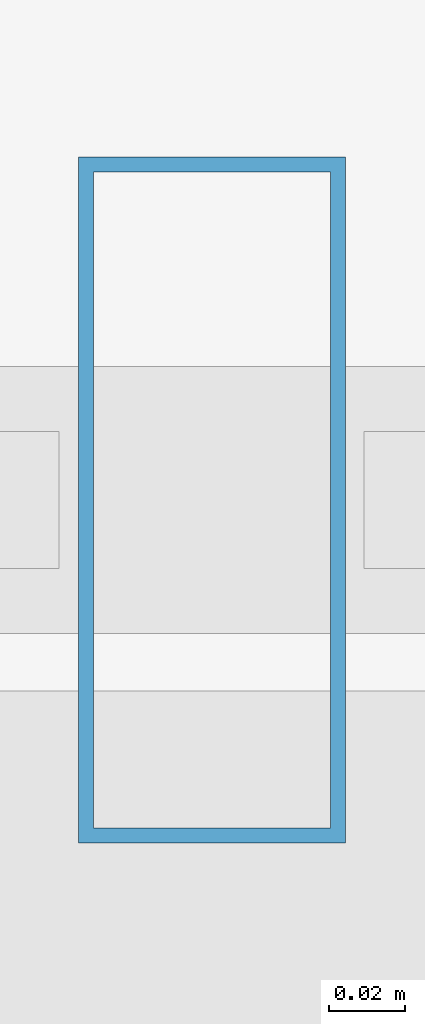
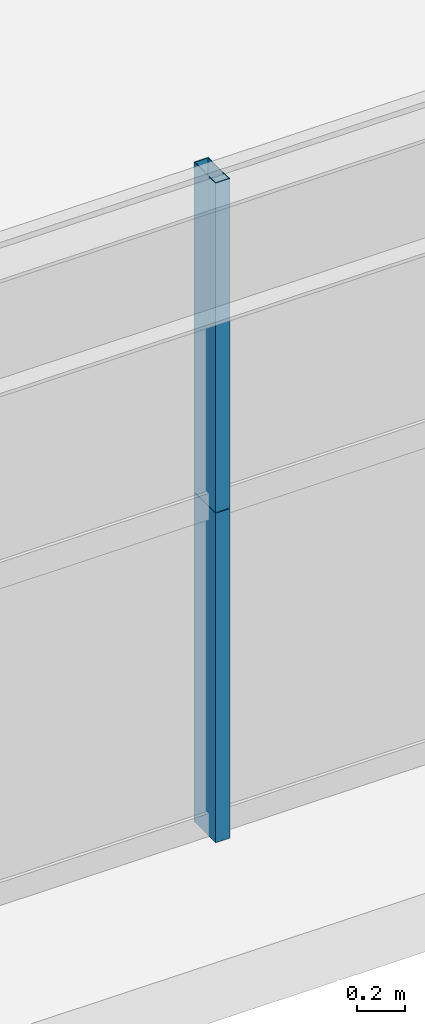
# One storey, part 13 of 45: 2 members, 1 element without a shape of its own.
"""IFC4 building model written with IfcOpenShell, lengths in metres."""

from ifc_helpers import new_model, si_unit, direction, frame, origin, origin_2d, place, context, subcontext, project, spatial, hollow_rectangle, extrude, source, transform, mapped, material, layer, layer_set, material_profile, profile_set, type_object, element, aggregate, save


model = new_model("IFC4")

# Units and contexts
model_context = context("Model", 3, precision=1e-05, world=origin(), true_north=direction((0.0, 1.0)))
body_context = subcontext(model_context, "Body", "Model", "MODEL_VIEW")
ifc_project = project(units=[si_unit("LENGTHUNIT", "METRE"), si_unit("AREAUNIT", "SQUARE_METRE"), si_unit("VOLUMEUNIT", "CUBIC_METRE"), si_unit("PLANEANGLEUNIT", "RADIAN"), si_unit("MASSUNIT", "GRAM", prefix="KILO"), si_unit("THERMODYNAMICTEMPERATUREUNIT", "KELVIN"), si_unit("POWERUNIT", "WATT")], contexts=[model_context])

# Site, building, storey
site_placement = place(None, origin())
site = spatial("IfcSite", under=ifc_project, at=site_placement, CompositionType="ELEMENT")
building_placement = place(site_placement, origin())
building = spatial("IfcBuilding", under=site, at=building_placement, Name="Yuzanri Waterfront Tower", CompositionType="ELEMENT")
storey_placement = place(building_placement, frame((0.0, 0.0, 30.60009765625)))
storey = spatial("IfcBuildingStorey", under=building, at=storey_placement, Name="L07", CompositionType="ELEMENT", Elevation=30.60009765625)

# Curtain wall, members
ifc_material_1 = material(Name="Anodized Architectural Bronze", Category="metal")
ifc_layer = layer(ifc_material_1, 0.159912109375)
ifc_layer_set = layer_set([ifc_layer], Name="Anodized Architectural Bronze")
curtain_wall_type = type_object("IfcCurtainWallType", Name="Anodized Bronze Hotel Lower-Tier Recessed Unitized Curtain Wall 8100", PredefinedType="NOTDEFINED", material=ifc_layer_set)
curtain_wall_placement = place(storey_placement, origin())
curtain_wall = element("IfcCurtainWall", 1, at=curtain_wall_placement, inside=storey, type_object=curtain_wall_type, Name="L07 Curtain Wall CW-L07-SR", PredefinedType="NOTDEFINED")
ifc_material_2 = material(Name="Anodized Architectural Bronze", Category="metal")
ifc_material_profile = material_profile(ifc_material_2, hollow_rectangle(XDim=0.070068359375, YDim=0.179931640625, WallThickness=0.00390625, at=origin_2d()), Name="CWM 70x180")
ifc_profile_set = profile_set([ifc_material_profile], Name="Anodized Architectural Bronze")
member_type = type_object("IfcMemberType", Name="Anodized Bronze Standard Curtain-Wall Mullion 70x180", PredefinedType="MULLION", material=ifc_profile_set)
shared_shape = source(origin(), body_context, "Body", "SweptSolid", [
    extrude(hollow_rectangle(XDim=0.070068359375, YDim=0.179931640625, WallThickness=0.00390625, at=origin_2d()), origin(), (0.0, 0.0, 1.0), 1.68798828125),
])
member_1_placement = place(storey_placement, frame((46.10009765625, 0.85009765625, 0.0), z_axis=(0.0, 0.0, 1.0), x_axis=(1.0, 0.0, 0.0)))
member_1 = element("IfcMember", 2, at=member_1_placement, type_object=member_type, Name="CW-L07-SR Lower Mullion 01", PredefinedType="MULLION", context=body_context, shape_type="MappedRepresentation", body=[
    mapped(shared_shape, transform((0.0, 0.0, 0.0), scale=1.0)),
])
member_2_placement = place(storey_placement, frame((46.10009765625, 0.85009765625, 1.69189453125), z_axis=(0.0, 0.0, 1.0), x_axis=(1.0, 0.0, 0.0)))
member_2 = element("IfcMember", 3, at=member_2_placement, type_object=member_type, Name="CW-L07-SR Upper Mullion 01", PredefinedType="MULLION", context=body_context, shape_type="MappedRepresentation", body=[
    mapped(shared_shape, transform((0.0, 0.0, 0.0), scale=1.0)),
])
aggregate(curtain_wall, [member_1, member_2])

save(model, "model.ifc")
